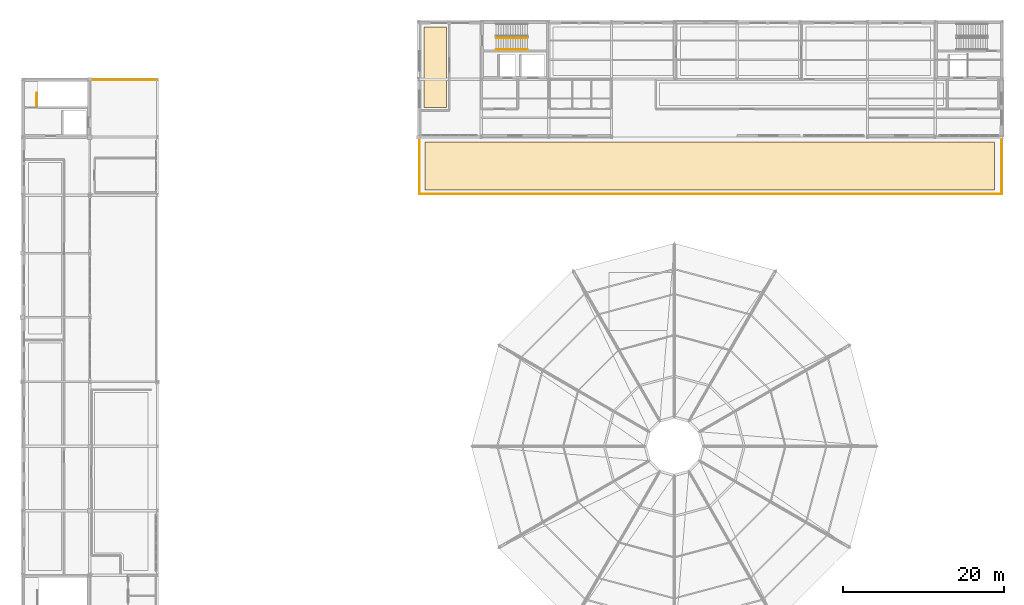
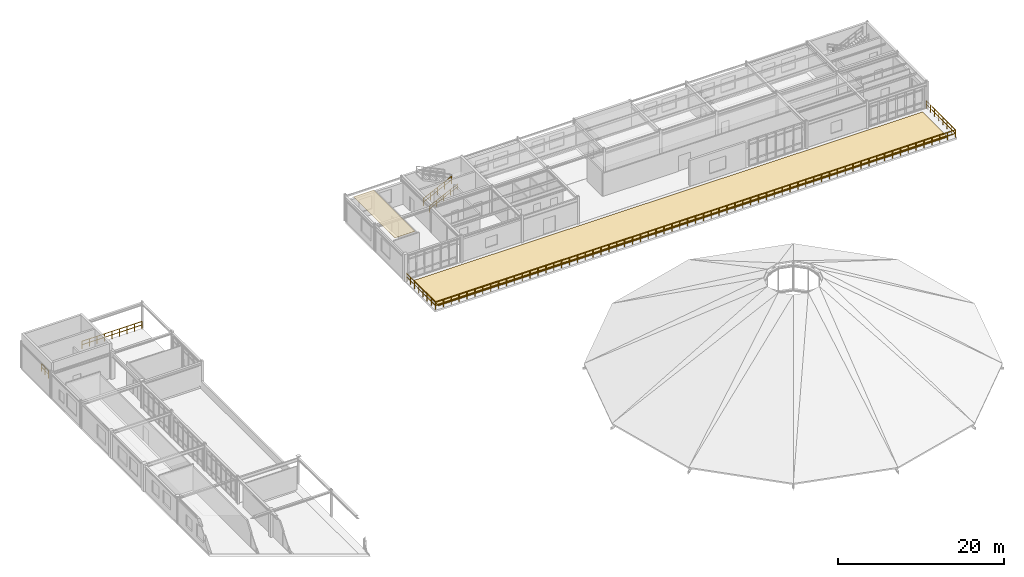
# One storey, part 56 of 58: 5 railings, 2 coverings.
"""IFC4 building model written with IfcOpenShell, lengths in metres."""

from ifc_helpers import new_model, si_unit, derived_unit, direction, frame, origin, origin_2d, place, context, subcontext, project, spatial, polyline, circle, outline, extrude, material, layer, layer_set, type_object, element, save


model = new_model("IFC4")

# Units and contexts
model_context = context("Model", 3, precision=1e-05, world=origin(), true_north=direction((0.0, 1.0)))
body_context = subcontext(model_context, "Body", "Model", "MODEL_VIEW")
ifc_project = project(units=[si_unit("LENGTHUNIT", "METRE"), si_unit("AREAUNIT", "SQUARE_METRE"), si_unit("VOLUMEUNIT", "CUBIC_METRE"), si_unit("PLANEANGLEUNIT", "RADIAN"), si_unit("MASSUNIT", "GRAM", prefix="KILO"), derived_unit("THERMALTRANSMITTANCEUNIT", [(si_unit("POWERUNIT", "WATT"), 1), (si_unit("AREAUNIT", "SQUARE_METRE"), -1), (si_unit("THERMODYNAMICTEMPERATUREUNIT", "KELVIN"), -1)])], contexts=[model_context])

# Site, building, storey
site_placement = place(None, origin())
site = spatial("IfcSite", under=ifc_project, at=site_placement, CompositionType="ELEMENT")
building_placement = place(site_placement, origin())
building = spatial("IfcBuilding", under=site, at=building_placement, Name="Yasenodar Specialist Clinic", CompositionType="ELEMENT")
storey_placement = place(building_placement, frame((0.0, 0.0, 21.300048828125)))
storey = spatial("IfcBuildingStorey", under=building, at=storey_placement, Name="L05", CompositionType="ELEMENT", Elevation=21.300048828125)

# Coverings
ifc_material_1 = material(Name="Hygienic Acoustic Mineral-Fibre Ceiling")
ifc_layer_1 = layer(ifc_material_1, 0.02490234375)
ifc_layer_set_1 = layer_set([ifc_layer_1], Name="Hygienic Acoustic Mineral-Fibre Ceiling")
covering_type_1 = type_object("IfcCoveringType", Name="COV-CEIL-AC", PredefinedType="CEILING", material=ifc_layer_set_1)
covering_1_placement = place(storey_placement, frame((0.0, 0.0, 3.800048828125)))
element("IfcCovering", 1, at=covering_1_placement, inside=storey, type_object=covering_type_1, Name="L05 Clinical Teaching Lecture Room Acoustic Ceiling", PredefinedType="CEILING", context=body_context, shape_type="SweptSolid", body=[
    extrude(outline(polyline([(52.699951171875, 110.85009765625), (52.699951171875, 100.8701171875), (49.89990234375, 100.8701171875), (49.89990234375, 110.85009765625), (52.699951171875, 110.85009765625)])), origin(), (0.0, 0.0, 1.0), 0.02490234375),
])
ifc_material_2 = material(Name="Vegetated Sedum and Substrate Roof Covering")
ifc_layer_2 = layer(ifc_material_2, 0.1201171875)
ifc_layer_set_2 = layer_set([ifc_layer_2], Name="Vegetated Sedum and Substrate Roof Covering")
covering_type_2 = type_object("IfcCoveringType", Name="COV-ROOF-SEDUM", PredefinedType="ROOFING", material=ifc_layer_set_2)
covering_2_placement = place(storey_placement, origin())
element("IfcCovering", 2, at=covering_2_placement, inside=storey, type_object=covering_type_2, Name="V5 Step-2 Sedum Terrace Covering", PredefinedType="ROOFING", context=body_context, shape_type="SweptSolid", body=[
    extrude(outline(polyline([(50.0, 90.60009765625), (120.800048828125, 90.60009765625), (120.800048828125, 96.60009765625), (50.0, 96.60009765625), (50.0, 90.60009765625)])), origin(), (0.0, 0.0, 1.0), 0.119873046875),
])

# Railings
ifc_material_3 = material(Name="Steel S355 Painted Guardrail", Category="steel")
railing_type_1 = type_object("IfcRailingType", Name="RL-GRD-1120", PredefinedType="GUARDRAIL", material=ifc_material_3)
railing_1_placement = place(storey_placement, frame((49.35009765625, 97.199951171875, 0.0)))
element("IfcRailing", 3, at=railing_1_placement, inside=storey, type_object=railing_type_1, Name="L05 V5 Step-2 Terrace Perimeter Guardrail", PredefinedType="GUARDRAIL", context=body_context, shape_type="SweptSolid", body=[
    extrude(circle(Radius=0.02392578125, at=origin_2d()), frame((0.0, 0.0, 1.09619140625), z_axis=(0.0, -1.0, 0.0), x_axis=(1.0, 0.0, 0.0)), (0.0, 0.0, 1.0), 7.050048828125),
    extrude(circle(Radius=0.02392578125, at=origin_2d()), frame((0.0, 0.0, 0.58251953125), z_axis=(0.0, -1.0, 0.0), x_axis=(1.0, 0.0, 0.0)), (0.0, 0.0, 1.0), 7.050048828125),
    extrude(circle(Radius=0.02392578125, at=origin_2d()), frame((0.0, -7.050048828125, 1.09619140625), z_axis=(1.0, 0.0, 0.0), x_axis=(0.0, 1.0, 0.0)), (0.0, 0.0, 1.0), 72.2998046875),
    extrude(circle(Radius=0.02392578125, at=origin_2d()), frame((0.0, -7.050048828125, 0.58251953125), z_axis=(1.0, 0.0, 0.0), x_axis=(0.0, 1.0, 0.0)), (0.0, 0.0, 1.0), 72.2998046875),
    extrude(circle(Radius=0.02392578125, at=origin_2d()), frame((72.2998046875, -7.050048828125, 1.09619140625), z_axis=(0.0, 1.0, 0.0), x_axis=(-1.0, 0.0, 0.0)), (0.0, 0.0, 1.0), 7.050048828125),
    extrude(circle(Radius=0.02392578125, at=origin_2d()), frame((72.2998046875, -7.050048828125, 0.58251953125), z_axis=(0.0, 1.0, 0.0), x_axis=(-1.0, 0.0, 0.0)), (0.0, 0.0, 1.0), 7.050048828125),
    extrude(circle(Radius=0.02099609375, at=origin_2d()), origin(), (0.0, 0.0, 1.0), 1.072021484375),
    extrude(circle(Radius=0.02099609375, at=origin_2d()), frame((0.0, -1.007080078125, 0.0)), (0.0, 0.0, 1.0), 1.072021484375),
    extrude(circle(Radius=0.02099609375, at=origin_2d()), frame((0.0, -2.014404296875, 0.0)), (0.0, 0.0, 1.0), 1.072021484375),
    extrude(circle(Radius=0.02099609375, at=origin_2d()), frame((0.0, -3.021484375, 0.0)), (0.0, 0.0, 1.0), 1.072021484375),
    extrude(circle(Radius=0.02099609375, at=origin_2d()), frame((0.0, -4.028564453125, 0.0)), (0.0, 0.0, 1.0), 1.072021484375),
    extrude(circle(Radius=0.02099609375, at=origin_2d()), frame((0.0, -5.03564453125, 0.0)), (0.0, 0.0, 1.0), 1.072021484375),
    extrude(circle(Radius=0.02099609375, at=origin_2d()), frame((0.0, -6.04296875, 0.0)), (0.0, 0.0, 1.0), 1.072021484375),
    extrude(circle(Radius=0.02099609375, at=origin_2d()), frame((0.0, -7.050048828125, 0.0)), (0.0, 0.0, 1.0), 1.072021484375),
    extrude(circle(Radius=0.02099609375, at=origin_2d()), frame((1.095458984375, -7.050048828125, 0.0)), (0.0, 0.0, 1.0), 1.072021484375),
    extrude(circle(Radius=0.02099609375, at=origin_2d()), frame((2.19091796875, -7.050048828125, 0.0)), (0.0, 0.0, 1.0), 1.072021484375),
    extrude(circle(Radius=0.02099609375, at=origin_2d()), frame((3.286376953125, -7.050048828125, 0.0)), (0.0, 0.0, 1.0), 1.072021484375),
    extrude(circle(Radius=0.02099609375, at=origin_2d()), frame((4.3818359375, -7.050048828125, 0.0)), (0.0, 0.0, 1.0), 1.072021484375),
    extrude(circle(Radius=0.02099609375, at=origin_2d()), frame((5.477294921875, -7.050048828125, 0.0)), (0.0, 0.0, 1.0), 1.072021484375),
    extrude(circle(Radius=0.02099609375, at=origin_2d()), frame((6.57275390625, -7.050048828125, 0.0)), (0.0, 0.0, 1.0), 1.072021484375),
    extrude(circle(Radius=0.02099609375, at=origin_2d()), frame((7.668212890625, -7.050048828125, 0.0)), (0.0, 0.0, 1.0), 1.072021484375),
    extrude(circle(Radius=0.02099609375, at=origin_2d()), frame((8.763671875, -7.050048828125, 0.0)), (0.0, 0.0, 1.0), 1.072021484375),
    extrude(circle(Radius=0.02099609375, at=origin_2d()), frame((9.859130859375, -7.050048828125, 0.0)), (0.0, 0.0, 1.0), 1.072021484375),
    extrude(circle(Radius=0.02099609375, at=origin_2d()), frame((10.95458984375, -7.050048828125, 0.0)), (0.0, 0.0, 1.0), 1.072021484375),
    extrude(circle(Radius=0.02099609375, at=origin_2d()), frame((12.050048828125, -7.050048828125, 0.0)), (0.0, 0.0, 1.0), 1.072021484375),
    extrude(circle(Radius=0.02099609375, at=origin_2d()), frame((13.1455078125, -7.050048828125, 0.0)), (0.0, 0.0, 1.0), 1.072021484375),
    extrude(circle(Radius=0.02099609375, at=origin_2d()), frame((14.240966796875, -7.050048828125, 0.0)), (0.0, 0.0, 1.0), 1.072021484375),
    extrude(circle(Radius=0.02099609375, at=origin_2d()), frame((15.33642578125, -7.050048828125, 0.0)), (0.0, 0.0, 1.0), 1.072021484375),
    extrude(circle(Radius=0.02099609375, at=origin_2d()), frame((16.431884765625, -7.050048828125, 0.0)), (0.0, 0.0, 1.0), 1.072021484375),
    extrude(circle(Radius=0.02099609375, at=origin_2d()), frame((17.52734375, -7.050048828125, 0.0)), (0.0, 0.0, 1.0), 1.072021484375),
    extrude(circle(Radius=0.02099609375, at=origin_2d()), frame((18.62255859375, -7.050048828125, 0.0)), (0.0, 0.0, 1.0), 1.072021484375),
    extrude(circle(Radius=0.02099609375, at=origin_2d()), frame((19.718017578125, -7.050048828125, 0.0)), (0.0, 0.0, 1.0), 1.072021484375),
    extrude(circle(Radius=0.02099609375, at=origin_2d()), frame((20.8134765625, -7.050048828125, 0.0)), (0.0, 0.0, 1.0), 1.072021484375),
    extrude(circle(Radius=0.02099609375, at=origin_2d()), frame((21.908935546875, -7.050048828125, 0.0)), (0.0, 0.0, 1.0), 1.072021484375),
    extrude(circle(Radius=0.02099609375, at=origin_2d()), frame((23.00439453125, -7.050048828125, 0.0)), (0.0, 0.0, 1.0), 1.072021484375),
    extrude(circle(Radius=0.02099609375, at=origin_2d()), frame((24.099853515625, -7.050048828125, 0.0)), (0.0, 0.0, 1.0), 1.072021484375),
    extrude(circle(Radius=0.02099609375, at=origin_2d()), frame((25.1953125, -7.050048828125, 0.0)), (0.0, 0.0, 1.0), 1.072021484375),
    extrude(circle(Radius=0.02099609375, at=origin_2d()), frame((26.290771484375, -7.050048828125, 0.0)), (0.0, 0.0, 1.0), 1.072021484375),
    extrude(circle(Radius=0.02099609375, at=origin_2d()), frame((27.38623046875, -7.050048828125, 0.0)), (0.0, 0.0, 1.0), 1.072021484375),
    extrude(circle(Radius=0.02099609375, at=origin_2d()), frame((28.481689453125, -7.050048828125, 0.0)), (0.0, 0.0, 1.0), 1.072021484375),
    extrude(circle(Radius=0.02099609375, at=origin_2d()), frame((29.5771484375, -7.050048828125, 0.0)), (0.0, 0.0, 1.0), 1.072021484375),
    extrude(circle(Radius=0.02099609375, at=origin_2d()), frame((30.672607421875, -7.050048828125, 0.0)), (0.0, 0.0, 1.0), 1.072021484375),
    extrude(circle(Radius=0.02099609375, at=origin_2d()), frame((31.76806640625, -7.050048828125, 0.0)), (0.0, 0.0, 1.0), 1.072021484375),
    extrude(circle(Radius=0.02099609375, at=origin_2d()), frame((32.863525390625, -7.050048828125, 0.0)), (0.0, 0.0, 1.0), 1.072021484375),
    extrude(circle(Radius=0.02099609375, at=origin_2d()), frame((33.958984375, -7.050048828125, 0.0)), (0.0, 0.0, 1.0), 1.072021484375),
    extrude(circle(Radius=0.02099609375, at=origin_2d()), frame((35.054443359375, -7.050048828125, 0.0)), (0.0, 0.0, 1.0), 1.072021484375),
    extrude(circle(Radius=0.02099609375, at=origin_2d()), frame((36.14990234375, -7.050048828125, 0.0)), (0.0, 0.0, 1.0), 1.072021484375),
    extrude(circle(Radius=0.02099609375, at=origin_2d()), frame((37.245361328125, -7.050048828125, 0.0)), (0.0, 0.0, 1.0), 1.072021484375),
    extrude(circle(Radius=0.02099609375, at=origin_2d()), frame((38.3408203125, -7.050048828125, 0.0)), (0.0, 0.0, 1.0), 1.072021484375),
    extrude(circle(Radius=0.02099609375, at=origin_2d()), frame((39.436279296875, -7.050048828125, 0.0)), (0.0, 0.0, 1.0), 1.072021484375),
    extrude(circle(Radius=0.02099609375, at=origin_2d()), frame((40.53173828125, -7.050048828125, 0.0)), (0.0, 0.0, 1.0), 1.072021484375),
    extrude(circle(Radius=0.02099609375, at=origin_2d()), frame((41.627197265625, -7.050048828125, 0.0)), (0.0, 0.0, 1.0), 1.072021484375),
    extrude(circle(Radius=0.02099609375, at=origin_2d()), frame((42.72265625, -7.050048828125, 0.0)), (0.0, 0.0, 1.0), 1.072021484375),
    extrude(circle(Radius=0.02099609375, at=origin_2d()), frame((43.818115234375, -7.050048828125, 0.0)), (0.0, 0.0, 1.0), 1.072021484375),
    extrude(circle(Radius=0.02099609375, at=origin_2d()), frame((44.91357421875, -7.050048828125, 0.0)), (0.0, 0.0, 1.0), 1.072021484375),
    extrude(circle(Radius=0.02099609375, at=origin_2d()), frame((46.009033203125, -7.050048828125, 0.0)), (0.0, 0.0, 1.0), 1.072021484375),
    extrude(circle(Radius=0.02099609375, at=origin_2d()), frame((47.1044921875, -7.050048828125, 0.0)), (0.0, 0.0, 1.0), 1.072021484375),
    extrude(circle(Radius=0.02099609375, at=origin_2d()), frame((48.199951171875, -7.050048828125, 0.0)), (0.0, 0.0, 1.0), 1.072021484375),
    extrude(circle(Radius=0.02099609375, at=origin_2d()), frame((49.29541015625, -7.050048828125, 0.0)), (0.0, 0.0, 1.0), 1.072021484375),
    extrude(circle(Radius=0.02099609375, at=origin_2d()), frame((50.390869140625, -7.050048828125, 0.0)), (0.0, 0.0, 1.0), 1.072021484375),
    extrude(circle(Radius=0.02099609375, at=origin_2d()), frame((51.486328125, -7.050048828125, 0.0)), (0.0, 0.0, 1.0), 1.072021484375),
    extrude(circle(Radius=0.02099609375, at=origin_2d()), frame((52.581787109375, -7.050048828125, 0.0)), (0.0, 0.0, 1.0), 1.072021484375),
    extrude(circle(Radius=0.02099609375, at=origin_2d()), frame((53.67724609375, -7.050048828125, 0.0)), (0.0, 0.0, 1.0), 1.072021484375),
    extrude(circle(Radius=0.02099609375, at=origin_2d()), frame((54.7724609375, -7.050048828125, 0.0)), (0.0, 0.0, 1.0), 1.072021484375),
    extrude(circle(Radius=0.02099609375, at=origin_2d()), frame((55.867919921875, -7.050048828125, 0.0)), (0.0, 0.0, 1.0), 1.072021484375),
    extrude(circle(Radius=0.02099609375, at=origin_2d()), frame((56.96337890625, -7.050048828125, 0.0)), (0.0, 0.0, 1.0), 1.072021484375),
    extrude(circle(Radius=0.02099609375, at=origin_2d()), frame((58.058837890625, -7.050048828125, 0.0)), (0.0, 0.0, 1.0), 1.072021484375),
    extrude(circle(Radius=0.02099609375, at=origin_2d()), frame((59.154296875, -7.050048828125, 0.0)), (0.0, 0.0, 1.0), 1.072021484375),
    extrude(circle(Radius=0.02099609375, at=origin_2d()), frame((60.249755859375, -7.050048828125, 0.0)), (0.0, 0.0, 1.0), 1.072021484375),
    extrude(circle(Radius=0.02099609375, at=origin_2d()), frame((61.34521484375, -7.050048828125, 0.0)), (0.0, 0.0, 1.0), 1.072021484375),
    extrude(circle(Radius=0.02099609375, at=origin_2d()), frame((62.440673828125, -7.050048828125, 0.0)), (0.0, 0.0, 1.0), 1.072021484375),
    extrude(circle(Radius=0.02099609375, at=origin_2d()), frame((63.5361328125, -7.050048828125, 0.0)), (0.0, 0.0, 1.0), 1.072021484375),
    extrude(circle(Radius=0.02099609375, at=origin_2d()), frame((64.631591796875, -7.050048828125, 0.0)), (0.0, 0.0, 1.0), 1.072021484375),
    extrude(circle(Radius=0.02099609375, at=origin_2d()), frame((65.72705078125, -7.050048828125, 0.0)), (0.0, 0.0, 1.0), 1.072021484375),
    extrude(circle(Radius=0.02099609375, at=origin_2d()), frame((66.822509765625, -7.050048828125, 0.0)), (0.0, 0.0, 1.0), 1.072021484375),
    extrude(circle(Radius=0.02099609375, at=origin_2d()), frame((67.91796875, -7.050048828125, 0.0)), (0.0, 0.0, 1.0), 1.072021484375),
    extrude(circle(Radius=0.02099609375, at=origin_2d()), frame((69.013427734375, -7.050048828125, 0.0)), (0.0, 0.0, 1.0), 1.072021484375),
    extrude(circle(Radius=0.02099609375, at=origin_2d()), frame((70.10888671875, -7.050048828125, 0.0)), (0.0, 0.0, 1.0), 1.072021484375),
    extrude(circle(Radius=0.02099609375, at=origin_2d()), frame((71.204345703125, -7.050048828125, 0.0)), (0.0, 0.0, 1.0), 1.072021484375),
    extrude(circle(Radius=0.02099609375, at=origin_2d()), frame((72.2998046875, -7.050048828125, 0.0)), (0.0, 0.0, 1.0), 1.072021484375),
    extrude(circle(Radius=0.02099609375, at=origin_2d()), frame((72.2998046875, -6.04296875, 0.0)), (0.0, 0.0, 1.0), 1.072021484375),
    extrude(circle(Radius=0.02099609375, at=origin_2d()), frame((72.2998046875, -5.03564453125, 0.0)), (0.0, 0.0, 1.0), 1.072021484375),
    extrude(circle(Radius=0.02099609375, at=origin_2d()), frame((72.2998046875, -4.028564453125, 0.0)), (0.0, 0.0, 1.0), 1.072021484375),
    extrude(circle(Radius=0.02099609375, at=origin_2d()), frame((72.2998046875, -3.021484375, 0.0)), (0.0, 0.0, 1.0), 1.072021484375),
    extrude(circle(Radius=0.02099609375, at=origin_2d()), frame((72.2998046875, -2.014404296875, 0.0)), (0.0, 0.0, 1.0), 1.072021484375),
    extrude(circle(Radius=0.02099609375, at=origin_2d()), frame((72.2998046875, -1.007080078125, 0.0)), (0.0, 0.0, 1.0), 1.072021484375),
    extrude(circle(Radius=0.02099609375, at=origin_2d()), frame((72.2998046875, 0.0, 0.0)), (0.0, 0.0, 1.0), 1.072021484375),
])
railing_2_placement = place(storey_placement, frame((8.35009765625, 104.300048828125, 0.0)))
element("IfcRailing", 4, at=railing_2_placement, inside=storey, type_object=railing_type_1, Name="L05 V4 North Edge Guardrail", PredefinedType="GUARDRAIL", context=body_context, shape_type="SweptSolid", body=[
    extrude(circle(Radius=0.02392578125, at=origin_2d()), frame((0.0, 0.0, 1.09619140625), z_axis=(1.0, 0.0, 0.0), x_axis=(0.0, 1.0, 0.0)), (0.0, 0.0, 1.0), 8.349853515625),
    extrude(circle(Radius=0.02392578125, at=origin_2d()), frame((0.0, 0.0, 0.58251953125), z_axis=(1.0, 0.0, 0.0), x_axis=(0.0, 1.0, 0.0)), (0.0, 0.0, 1.0), 8.349853515625),
    extrude(circle(Radius=0.02099609375, at=origin_2d()), origin(), (0.0, 0.0, 1.0), 1.072021484375),
    extrude(circle(Radius=0.02099609375, at=origin_2d()), frame((1.043701171875, 0.0, 0.0)), (0.0, 0.0, 1.0), 1.072021484375),
    extrude(circle(Radius=0.02099609375, at=origin_2d()), frame((2.08740234375, 0.0, 0.0)), (0.0, 0.0, 1.0), 1.072021484375),
    extrude(circle(Radius=0.02099609375, at=origin_2d()), frame((3.131103515625, 0.0, 0.0)), (0.0, 0.0, 1.0), 1.072021484375),
    extrude(circle(Radius=0.02099609375, at=origin_2d()), frame((4.1748046875, 0.0, 0.0)), (0.0, 0.0, 1.0), 1.072021484375),
    extrude(circle(Radius=0.02099609375, at=origin_2d()), frame((5.21875, 0.0, 0.0)), (0.0, 0.0, 1.0), 1.072021484375),
    extrude(circle(Radius=0.02099609375, at=origin_2d()), frame((6.262451171875, 0.0, 0.0)), (0.0, 0.0, 1.0), 1.072021484375),
    extrude(circle(Radius=0.02099609375, at=origin_2d()), frame((7.30615234375, 0.0, 0.0)), (0.0, 0.0, 1.0), 1.072021484375),
    extrude(circle(Radius=0.02099609375, at=origin_2d()), frame((8.349853515625, 0.0, 0.0)), (0.0, 0.0, 1.0), 1.072021484375),
])
ifc_material_4 = material(Name="Steel S355 Painted Stair Guardrail", Category="steel")
railing_type_2 = type_object("IfcRailingType", Name="RL-ST-GRD", PredefinedType="GUARDRAIL", material=ifc_material_4)
railing_3_placement = place(storey_placement, frame((1.7900390625, 100.9599609375, 0.0)))
element("IfcRailing", 5, at=railing_3_placement, inside=storey, type_object=railing_type_2, Name="L05 ST-02 top well guard 1", PredefinedType="GUARDRAIL", context=body_context, shape_type="SweptSolid", body=[
    extrude(circle(Radius=0.02392578125, at=origin_2d()), frame((0.0, 0.0, 1.09619140625), z_axis=(0.0, 1.0, 0.0), x_axis=(-1.0, 0.0, 0.0)), (0.0, 0.0, 1.0), 1.699951171875),
    extrude(circle(Radius=0.02392578125, at=origin_2d()), frame((0.0, 0.0, 0.58251953125), z_axis=(0.0, 1.0, 0.0), x_axis=(-1.0, 0.0, 0.0)), (0.0, 0.0, 1.0), 1.699951171875),
    extrude(circle(Radius=0.02099609375, at=origin_2d()), origin(), (0.0, 0.0, 1.0), 1.072021484375),
    extrude(circle(Radius=0.02099609375, at=origin_2d()), frame((0.0, 0.85009765625, 0.0)), (0.0, 0.0, 1.0), 1.072021484375),
    extrude(circle(Radius=0.02099609375, at=origin_2d()), frame((0.0, 1.699951171875, 0.0)), (0.0, 0.0, 1.0), 1.072021484375),
])
railing_4_placement = place(storey_placement, frame((58.8701171875, 109.530029296875, 0.14453125)))
element("IfcRailing", 6, at=railing_4_placement, inside=storey, type_object=railing_type_2, Name="L05 ST-04 stair guard 1", PredefinedType="GUARDRAIL", context=body_context, shape_type="SweptSolid", body=[
    extrude(circle(Radius=0.02392578125, at=origin_2d()), frame((0.0, 0.0, 1.09619140625), z_axis=(0.900763166376, 0.0, 0.434310623978), x_axis=(0.0, 1.0, 0.0)), (0.0, 0.0, 1.0), 4.32958984375),
    extrude(circle(Radius=0.02392578125, at=origin_2d()), frame((0.0, 0.0, 0.58251953125), z_axis=(0.900763166376, 0.0, 0.434310623978), x_axis=(0.0, 1.0, 0.0)), (0.0, 0.0, 1.0), 4.32958984375),
    extrude(circle(Radius=0.02099609375, at=origin_2d()), origin(), (0.0, 0.0, 1.0), 1.072021484375),
    extrude(circle(Radius=0.02099609375, at=origin_2d()), frame((0.97509765625, 0.0, 0.47021484375)), (0.0, 0.0, 1.0), 1.072021484375),
    extrude(circle(Radius=0.02099609375, at=origin_2d()), frame((1.949951171875, 0.0, 0.940185546875)), (0.0, 0.0, 1.0), 1.072021484375),
    extrude(circle(Radius=0.02099609375, at=origin_2d()), frame((2.9248046875, 0.0, 1.41015625)), (0.0, 0.0, 1.0), 1.072021484375),
    extrude(circle(Radius=0.02099609375, at=origin_2d()), frame((3.89990234375, 0.0, 1.88037109375)), (0.0, 0.0, 1.0), 1.072021484375),
])
ifc_material_5 = material(Name="Brushed Stainless Steel Handrail", Category="steel")
railing_type_3 = type_object("IfcRailingType", Name="RL-ST-HND", PredefinedType="HANDRAIL", material=ifc_material_5)
railing_5_placement = place(storey_placement, frame((58.8701171875, 108.06005859375, 0.14453125)))
element("IfcRailing", 7, at=railing_5_placement, inside=storey, type_object=railing_type_3, Name="L05 ST-04 stair handrail 1", PredefinedType="HANDRAIL", context=body_context, shape_type="SweptSolid", body=[
    extrude(circle(Radius=0.02392578125, at=origin_2d()), frame((0.0, 0.0, 0.8759765625), z_axis=(0.900763166376, 0.0, 0.434310623978), x_axis=(0.0, 1.0, 0.0)), (0.0, 0.0, 1.0), 4.32958984375),
    extrude(circle(Radius=0.02392578125, at=origin_2d()), frame((0.0, 0.0, 0.468017578125), z_axis=(0.900763166376, 0.0, 0.434310623978), x_axis=(0.0, 1.0, 0.0)), (0.0, 0.0, 1.0), 4.32958984375),
    extrude(circle(Radius=0.02099609375, at=origin_2d()), origin(), (0.0, 0.0, 1.0), 0.851806640625),
    extrude(circle(Radius=0.02099609375, at=origin_2d()), frame((0.97509765625, 0.0, 0.47021484375)), (0.0, 0.0, 1.0), 0.851806640625),
    extrude(circle(Radius=0.02099609375, at=origin_2d()), frame((1.949951171875, 0.0, 0.940185546875)), (0.0, 0.0, 1.0), 0.851806640625),
    extrude(circle(Radius=0.02099609375, at=origin_2d()), frame((2.9248046875, 0.0, 1.41015625)), (0.0, 0.0, 1.0), 0.851806640625),
    extrude(circle(Radius=0.02099609375, at=origin_2d()), frame((3.89990234375, 0.0, 1.88037109375)), (0.0, 0.0, 1.0), 0.851806640625),
])

save(model, "model.ifc")
